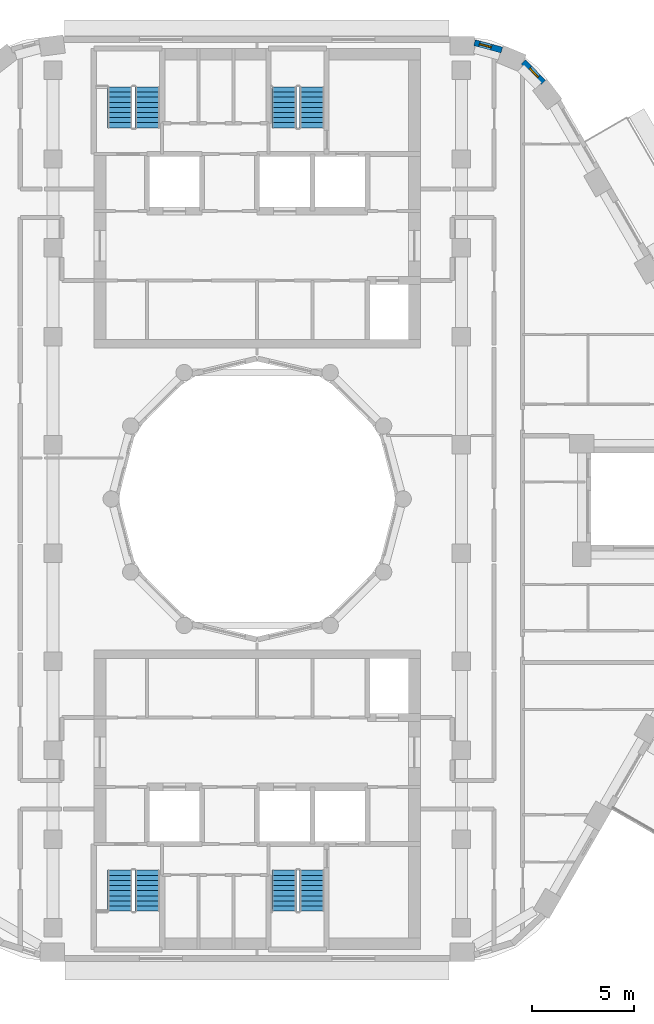
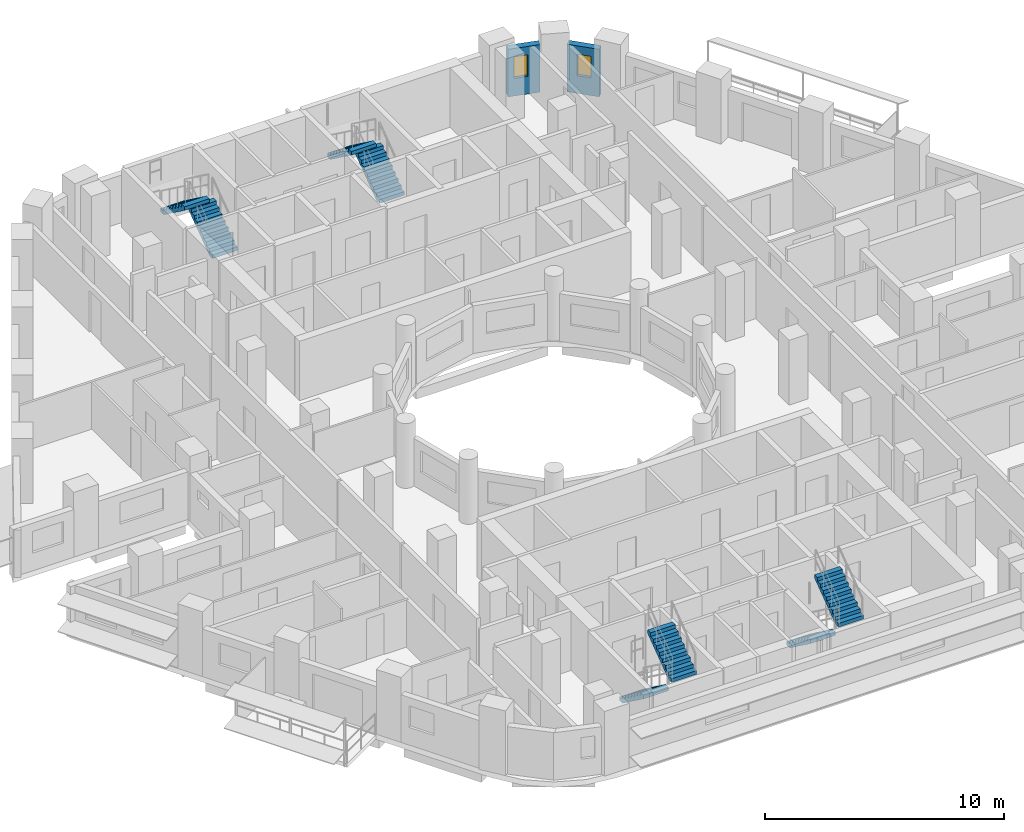
# One storey, part 10 of 18: 8 stair flights, 2 walls, 2 windows, 2 openings, 4 elements without a shape of their own.
"""IFC4 building model written with IfcOpenShell, lengths in metres."""

from ifc_helpers import new_model, si_unit, direction, frame, frame_2d, origin, place, context, subcontext, project, spatial, polyline, rectangle, outline, extrude, material, layer, layer_set, type_object, element, fill, aggregate, save


model = new_model("IFC4")

# Units and contexts
model_context = context("Model", 3, precision=1e-05, world=origin(), true_north=direction((0.0, 1.0)))
body_context = subcontext(model_context, "Body", "Model", "MODEL_VIEW")
ifc_project = project(units=[si_unit("LENGTHUNIT", "METRE"), si_unit("AREAUNIT", "SQUARE_METRE"), si_unit("VOLUMEUNIT", "CUBIC_METRE"), si_unit("PLANEANGLEUNIT", "RADIAN"), si_unit("MASSUNIT", "GRAM", prefix="KILO")], contexts=[model_context])

# Site, building, storey
site_placement = place(None, origin())
site = spatial("IfcSite", under=ifc_project, at=site_placement, CompositionType="ELEMENT")
building_placement = place(site_placement, origin())
building = spatial("IfcBuilding", under=site, at=building_placement, Name="Nakaniwa Court", CompositionType="ELEMENT")
storey_placement = place(building_placement, frame((0.0, 0.0, 180.0)))
storey = spatial("IfcBuildingStorey", under=building, at=storey_placement, Name="L46", CompositionType="ELEMENT", Elevation=180.0)

# Wall, opening, window
ifc_material_1 = material(Name="Charcoal ceramic cladding")
ifc_layer_1 = layer(ifc_material_1, 0.02, Name="Ceramic cladding")
ifc_material_2 = material(Name="Ventilated air cavity")
ifc_layer_2 = layer(ifc_material_2, 0.04, ventilated=True, Name="Ventilated cavity")
ifc_material_3 = material(Name="Mineral wool insulation")
ifc_layer_3 = layer(ifc_material_3, 0.1, Name="Insulation")
ifc_material_4 = material(Name="Cement bonded sheathing board")
ifc_layer_4 = layer(ifc_material_4, 0.012, Name="Sheathing")
ifc_material_5 = material(Name="Cold-formed galvanised stud frame with mineral wool infill")
ifc_layer_5 = layer(ifc_material_5, 0.1, Name="Stud frame")
ifc_material_6 = material(Name="Fire-rated gypsum plasterboard lining")
ifc_layer_6 = layer(ifc_material_6, 0.028, Name="Lining")
ifc_layer_set = layer_set([ifc_layer_1, ifc_layer_2, ifc_layer_3, ifc_layer_4, ifc_layer_5, ifc_layer_6], Name="Charcoal ceramic faced external wall system")
wall_type = type_object("IfcWallType", Name="Black ceramic faced external wall 300", PredefinedType="SOLIDWALL", material=ifc_layer_set)
wall_1_placement = place(storey_placement, frame((94.009033203125, 100.40185546875, 0.0), z_axis=(0.0, 0.0, 1.0), x_axis=(-0.69817596362, 0.715926199984, 0.0)))
wall_1 = element("IfcWall", 1, at=wall_1_placement, inside=storey, type_object=wall_type, Name="L46 external wall 06", PredefinedType="SOLIDWALL", context=body_context, shape_type="SweptSolid", body=[
    extrude(rectangle(XDim=1.40283203125, YDim=0.300048828125, at=frame_2d((0.701416015625, 0.0))), origin(), (0.0, 0.0, 1.0), 2.425048828125),
])
opening_1_placement = place(wall_1_placement, frame((0.35986328125, 0.0, 0.89990234375)))
opening_1 = element("IfcOpeningElement", 2, at=opening_1_placement, cuts=wall_1, Name="Opening W8.05", PredefinedType="OPENING", context=body_context, shape_type="SweptSolid", body=[
    extrude(rectangle(XDim=0.60009765625, YDim=1.10009765625, at=frame_2d((0.300048828125, 0.550048828125))), frame((0.0, 0.159912109375, 0.0), z_axis=(0.0, -1.0, 0.0), x_axis=(1.0, 0.0, 0.0)), (0.0, 0.0, 1.0), 0.320068359375),
])
ifc_material_7 = material(Name="Black anodised aluminium frame with dark low-E laminated double glazing", Category="aluminium")
window_type = type_object("IfcWindowType", Name="Dark glass window 600x1100 sill 900", PartitioningType="SINGLE_PANEL", PredefinedType="WINDOW", material=ifc_material_7)
window_1_placement = place(opening_1_placement, origin())
window_1 = element("IfcWindow", 3, at=window_1_placement, inside=storey, type_object=window_type, Name="L46 habitable room window 06-0", OverallHeight=1.10009765625, OverallWidth=0.60009765625, PartitioningType="SINGLE_PANEL", PredefinedType="WINDOW", context=body_context, shape_type="SweptSolid", body=[
    extrude(rectangle(XDim=0.60009765625, YDim=1.10009765625, at=frame_2d((0.300048828125, 0.550048828125))), frame((0.0, 0.030029296875, 0.0), z_axis=(0.0, -1.0, 0.0), x_axis=(1.0, 0.0, 0.0)), (0.0, 0.0, 1.0), 0.06005859375),
])
fill(opening_1, window_1)

wall_2_placement = place(storey_placement, frame((91.977294921875, 101.981201171875, 0.0), z_axis=(0.0, 0.0, 1.0), x_axis=(-0.965315341278, 0.261086751661, 0.0)))
wall_2 = element("IfcWall", 4, at=wall_2_placement, inside=storey, type_object=wall_type, Name="L46 external wall 07", PredefinedType="SOLIDWALL", context=body_context, shape_type="SweptSolid", body=[
    extrude(rectangle(XDim=1.384033203125, YDim=0.300048828125, at=frame_2d((0.69189453125, 0.0))), origin(), (0.0, 0.0, 1.0), 2.425048828125),
])
opening_2_placement = place(wall_2_placement, frame((0.529296875, 0.0, 0.89990234375)))
opening_2 = element("IfcOpeningElement", 5, at=opening_2_placement, cuts=wall_2, Name="Opening W8.06", PredefinedType="OPENING", context=body_context, shape_type="SweptSolid", body=[
    extrude(rectangle(XDim=0.60009765625, YDim=1.10009765625, at=frame_2d((0.300048828125, 0.550048828125))), frame((0.0, 0.159912109375, 0.0), z_axis=(0.0, -1.0, 0.0), x_axis=(1.0, 0.0, 0.0)), (0.0, 0.0, 1.0), 0.320068359375),
])
window_2_placement = place(opening_2_placement, origin())
window_2 = element("IfcWindow", 6, at=window_2_placement, inside=storey, type_object=window_type, Name="L46 habitable room window 07-1", OverallHeight=1.10009765625, OverallWidth=0.60009765625, PartitioningType="SINGLE_PANEL", PredefinedType="WINDOW", context=body_context, shape_type="SweptSolid", body=[
    extrude(rectangle(XDim=0.60009765625, YDim=1.10009765625, at=frame_2d((0.300048828125, 0.550048828125))), frame((0.0, 0.030029296875, 0.0), z_axis=(0.0, -1.0, 0.0), x_axis=(1.0, 0.0, 0.0)), (0.0, 0.0, 1.0), 0.06005859375),
])
fill(opening_2, window_2)

# Stair, stair flights
ifc_material_8 = material(Name="Concrete C80/100", Category="concrete")
stair_type = type_object("IfcStairType", Name="Dog leg stair 1200 wide 18 risers", PredefinedType="HALF_TURN_STAIR", material=ifc_material_8)
stair_1_placement = place(storey_placement, origin())
stair_1 = element("IfcStair", 7, at=stair_1_placement, inside=storey, type_object=stair_type, Name="L46 Stair ST1", PredefinedType="HALF_TURN_STAIR")
stair_flight_type = type_object("IfcStairFlightType", Name="Stair flight 1200 wide 9 risers", PredefinedType="STRAIGHT", material=ifc_material_8)
stair_flight_1_placement = place(storey_placement, frame((74.625, 98.175048828125, 0.0), z_axis=(0.0, 0.0, 1.0), x_axis=(0.0, 1.0, 0.0)))
stair_flight_1 = element("IfcStairFlight", 8, at=stair_flight_1_placement, type_object=stair_flight_type, Name="ST1 flight 1", NumberOfRisers=9, NumberOfTreads=8, PredefinedType="STRAIGHT", RiserHeight=0.183333333, TreadLength=0.25, context=body_context, shape_type="SweptSolid", body=[
    extrude(outline(polyline([(0.0, 0.0), (0.0, 0.026123046875), (0.0, 0.052490234375), (0.0, 0.07861328125), (0.0, 0.104736328125), (0.0, 0.130859375), (0.0, 0.1572265625), (0.0, 0.183349609375), (0.25, 0.183349609375), (0.25, 0.36669921875), (0.5, 0.36669921875), (0.5, 0.550048828125), (0.75, 0.550048828125), (0.75, 0.7333984375), (1.0, 0.7333984375), (1.0, 0.916748046875), (1.25, 0.916748046875), (1.25, 1.10009765625), (1.5, 1.10009765625), (1.5, 1.283447265625), (1.75, 1.283447265625), (1.75, 1.466552734375), (2.0, 1.466552734375), (2.0, 1.64990234375), (2.0, 1.59716796875), (2.0, 1.54443359375), (2.0, 1.49169921875), (2.0, 1.43896484375), (2.0, 1.38623046875), (2.0, 1.33349609375), (2.0, 1.28076171875), (0.25341796875, 0.0), (0.0, 0.0)])), frame((0.0, 0.60009765625, 0.0), z_axis=(0.0, -1.0, 0.0), x_axis=(1.0, 0.0, 0.0)), (0.0, 0.0, 1.0), 1.199951171875),
])
stair_flight_2_placement = place(storey_placement, frame((73.27490234375, 100.175048828125, 1.64990234375), z_axis=(0.0, 0.0, 1.0), x_axis=(0.0, -1.0, 0.0)))
stair_flight_2 = element("IfcStairFlight", 9, at=stair_flight_2_placement, type_object=stair_flight_type, Name="ST1 flight 2", NumberOfRisers=9, NumberOfTreads=8, PredefinedType="STRAIGHT", RiserHeight=0.183333333, TreadLength=0.25, context=body_context, shape_type="SweptSolid", body=[
    extrude(outline(polyline([(0.0, 0.0), (0.0, 0.026123046875), (0.0, 0.052490234375), (0.0, 0.07861328125), (0.0, 0.104736328125), (0.0, 0.130859375), (0.0, 0.1572265625), (0.0, 0.183349609375), (0.25, 0.183349609375), (0.25, 0.36669921875), (0.5, 0.36669921875), (0.5, 0.550048828125), (0.75, 0.550048828125), (0.75, 0.7333984375), (1.0, 0.7333984375), (1.0, 0.916748046875), (1.25, 0.916748046875), (1.25, 1.10009765625), (1.5, 1.10009765625), (1.5, 1.283447265625), (1.75, 1.283447265625), (1.75, 1.466552734375), (2.0, 1.466552734375), (2.0, 1.64990234375), (2.0, 1.59716796875), (2.0, 1.54443359375), (2.0, 1.49169921875), (2.0, 1.43896484375), (2.0, 1.38623046875), (2.0, 1.33349609375), (2.0, 1.28076171875), (0.25341796875, 0.0), (0.0, 0.0)])), frame((0.0, 0.60009765625, 0.0), z_axis=(0.0, -1.0, 0.0), x_axis=(1.0, 0.0, 0.0)), (0.0, 0.0, 1.0), 1.199951171875),
])
aggregate(stair_1, [stair_flight_1, stair_flight_2])

stair_2_placement = place(storey_placement, origin())
stair_2 = element("IfcStair", 10, at=stair_2_placement, inside=storey, type_object=stair_type, Name="L46 Stair ST2", PredefinedType="HALF_TURN_STAIR")
stair_flight_3_placement = place(storey_placement, frame((82.675048828125, 98.175048828125, 0.0), z_axis=(0.0, 0.0, 1.0), x_axis=(0.0, 1.0, 0.0)))
stair_flight_3 = element("IfcStairFlight", 11, at=stair_flight_3_placement, type_object=stair_flight_type, Name="ST2 flight 1", NumberOfRisers=9, NumberOfTreads=8, PredefinedType="STRAIGHT", RiserHeight=0.183333333, TreadLength=0.25, context=body_context, shape_type="SweptSolid", body=[
    extrude(outline(polyline([(0.0, 0.0), (0.0, 0.026123046875), (0.0, 0.052490234375), (0.0, 0.07861328125), (0.0, 0.104736328125), (0.0, 0.130859375), (0.0, 0.1572265625), (0.0, 0.183349609375), (0.25, 0.183349609375), (0.25, 0.36669921875), (0.5, 0.36669921875), (0.5, 0.550048828125), (0.75, 0.550048828125), (0.75, 0.7333984375), (1.0, 0.7333984375), (1.0, 0.916748046875), (1.25, 0.916748046875), (1.25, 1.10009765625), (1.5, 1.10009765625), (1.5, 1.283447265625), (1.75, 1.283447265625), (1.75, 1.466552734375), (2.0, 1.466552734375), (2.0, 1.64990234375), (2.0, 1.59716796875), (2.0, 1.54443359375), (2.0, 1.49169921875), (2.0, 1.43896484375), (2.0, 1.38623046875), (2.0, 1.33349609375), (2.0, 1.28076171875), (0.25341796875, 0.0), (0.0, 0.0)])), frame((0.0, 0.60009765625, 0.0), z_axis=(0.0, -1.0, 0.0), x_axis=(1.0, 0.0, 0.0)), (0.0, 0.0, 1.0), 1.199951171875),
])
stair_flight_4_placement = place(storey_placement, frame((81.324951171875, 100.175048828125, 1.64990234375), z_axis=(0.0, 0.0, 1.0), x_axis=(0.0, -1.0, 0.0)))
stair_flight_4 = element("IfcStairFlight", 12, at=stair_flight_4_placement, type_object=stair_flight_type, Name="ST2 flight 2", NumberOfRisers=9, NumberOfTreads=8, PredefinedType="STRAIGHT", RiserHeight=0.183333333, TreadLength=0.25, context=body_context, shape_type="SweptSolid", body=[
    extrude(outline(polyline([(0.0, 0.0), (0.0, 0.026123046875), (0.0, 0.052490234375), (0.0, 0.07861328125), (0.0, 0.104736328125), (0.0, 0.130859375), (0.0, 0.1572265625), (0.0, 0.183349609375), (0.25, 0.183349609375), (0.25, 0.36669921875), (0.5, 0.36669921875), (0.5, 0.550048828125), (0.75, 0.550048828125), (0.75, 0.7333984375), (1.0, 0.7333984375), (1.0, 0.916748046875), (1.25, 0.916748046875), (1.25, 1.10009765625), (1.5, 1.10009765625), (1.5, 1.283447265625), (1.75, 1.283447265625), (1.75, 1.466552734375), (2.0, 1.466552734375), (2.0, 1.64990234375), (2.0, 1.59716796875), (2.0, 1.54443359375), (2.0, 1.49169921875), (2.0, 1.43896484375), (2.0, 1.38623046875), (2.0, 1.33349609375), (2.0, 1.28076171875), (0.25341796875, 0.0), (0.0, 0.0)])), frame((0.0, 0.60009765625, 0.0), z_axis=(0.0, -1.0, 0.0), x_axis=(1.0, 0.0, 0.0)), (0.0, 0.0, 1.0), 1.199951171875),
])
aggregate(stair_2, [stair_flight_3, stair_flight_4])

stair_3_placement = place(storey_placement, origin())
stair_3 = element("IfcStair", 13, at=stair_3_placement, inside=storey, type_object=stair_type, Name="L46 Stair ST3", PredefinedType="HALF_TURN_STAIR")
stair_flight_5_placement = place(storey_placement, frame((73.27490234375, 61.824951171875, 0.0), z_axis=(0.0, 0.0, 1.0), x_axis=(0.0, -1.0, 0.0)))
stair_flight_5 = element("IfcStairFlight", 14, at=stair_flight_5_placement, type_object=stair_flight_type, Name="ST3 flight 1", NumberOfRisers=9, NumberOfTreads=8, PredefinedType="STRAIGHT", RiserHeight=0.183333333, TreadLength=0.25, context=body_context, shape_type="SweptSolid", body=[
    extrude(outline(polyline([(0.0, 0.0), (0.0, 0.026123046875), (0.0, 0.052490234375), (0.0, 0.07861328125), (0.0, 0.104736328125), (0.0, 0.130859375), (0.0, 0.1572265625), (0.0, 0.183349609375), (0.25, 0.183349609375), (0.25, 0.36669921875), (0.5, 0.36669921875), (0.5, 0.550048828125), (0.75, 0.550048828125), (0.75, 0.7333984375), (1.0, 0.7333984375), (1.0, 0.916748046875), (1.25, 0.916748046875), (1.25, 1.10009765625), (1.5, 1.10009765625), (1.5, 1.283447265625), (1.75, 1.283447265625), (1.75, 1.466552734375), (2.0, 1.466552734375), (2.0, 1.64990234375), (2.0, 1.59716796875), (2.0, 1.54443359375), (2.0, 1.49169921875), (2.0, 1.43896484375), (2.0, 1.38623046875), (2.0, 1.33349609375), (2.0, 1.28076171875), (0.25341796875, 0.0), (0.0, 0.0)])), frame((0.0, 0.60009765625, 0.0), z_axis=(0.0, -1.0, 0.0), x_axis=(1.0, 0.0, 0.0)), (0.0, 0.0, 1.0), 1.199951171875),
])
stair_flight_6_placement = place(storey_placement, frame((74.625, 59.824951171875, 1.64990234375), z_axis=(0.0, 0.0, 1.0), x_axis=(0.0, 1.0, 0.0)))
stair_flight_6 = element("IfcStairFlight", 15, at=stair_flight_6_placement, type_object=stair_flight_type, Name="ST3 flight 2", NumberOfRisers=9, NumberOfTreads=8, PredefinedType="STRAIGHT", RiserHeight=0.183333333, TreadLength=0.25, context=body_context, shape_type="SweptSolid", body=[
    extrude(outline(polyline([(0.0, 0.0), (0.0, 0.026123046875), (0.0, 0.052490234375), (0.0, 0.07861328125), (0.0, 0.104736328125), (0.0, 0.130859375), (0.0, 0.1572265625), (0.0, 0.183349609375), (0.25, 0.183349609375), (0.25, 0.36669921875), (0.5, 0.36669921875), (0.5, 0.550048828125), (0.75, 0.550048828125), (0.75, 0.7333984375), (1.0, 0.7333984375), (1.0, 0.916748046875), (1.25, 0.916748046875), (1.25, 1.10009765625), (1.5, 1.10009765625), (1.5, 1.283447265625), (1.75, 1.283447265625), (1.75, 1.466552734375), (2.0, 1.466552734375), (2.0, 1.64990234375), (2.0, 1.59716796875), (2.0, 1.54443359375), (2.0, 1.49169921875), (2.0, 1.43896484375), (2.0, 1.38623046875), (2.0, 1.33349609375), (2.0, 1.28076171875), (0.25341796875, 0.0), (0.0, 0.0)])), frame((0.0, 0.60009765625, 0.0), z_axis=(0.0, -1.0, 0.0), x_axis=(1.0, 0.0, 0.0)), (0.0, 0.0, 1.0), 1.199951171875),
])
aggregate(stair_3, [stair_flight_5, stair_flight_6])

stair_4_placement = place(storey_placement, origin())
stair_4 = element("IfcStair", 16, at=stair_4_placement, inside=storey, type_object=stair_type, Name="L46 Stair ST4", PredefinedType="HALF_TURN_STAIR")
stair_flight_7_placement = place(storey_placement, frame((81.324951171875, 61.824951171875, 0.0), z_axis=(0.0, 0.0, 1.0), x_axis=(0.0, -1.0, 0.0)))
stair_flight_7 = element("IfcStairFlight", 17, at=stair_flight_7_placement, type_object=stair_flight_type, Name="ST4 flight 1", NumberOfRisers=9, NumberOfTreads=8, PredefinedType="STRAIGHT", RiserHeight=0.183333333, TreadLength=0.25, context=body_context, shape_type="SweptSolid", body=[
    extrude(outline(polyline([(0.0, 0.0), (0.0, 0.026123046875), (0.0, 0.052490234375), (0.0, 0.07861328125), (0.0, 0.104736328125), (0.0, 0.130859375), (0.0, 0.1572265625), (0.0, 0.183349609375), (0.25, 0.183349609375), (0.25, 0.36669921875), (0.5, 0.36669921875), (0.5, 0.550048828125), (0.75, 0.550048828125), (0.75, 0.7333984375), (1.0, 0.7333984375), (1.0, 0.916748046875), (1.25, 0.916748046875), (1.25, 1.10009765625), (1.5, 1.10009765625), (1.5, 1.283447265625), (1.75, 1.283447265625), (1.75, 1.466552734375), (2.0, 1.466552734375), (2.0, 1.64990234375), (2.0, 1.59716796875), (2.0, 1.54443359375), (2.0, 1.49169921875), (2.0, 1.43896484375), (2.0, 1.38623046875), (2.0, 1.33349609375), (2.0, 1.28076171875), (0.25341796875, 0.0), (0.0, 0.0)])), frame((0.0, 0.60009765625, 0.0), z_axis=(0.0, -1.0, 0.0), x_axis=(1.0, 0.0, 0.0)), (0.0, 0.0, 1.0), 1.199951171875),
])
stair_flight_8_placement = place(storey_placement, frame((82.675048828125, 59.824951171875, 1.64990234375), z_axis=(0.0, 0.0, 1.0), x_axis=(0.0, 1.0, 0.0)))
stair_flight_8 = element("IfcStairFlight", 18, at=stair_flight_8_placement, type_object=stair_flight_type, Name="ST4 flight 2", NumberOfRisers=9, NumberOfTreads=8, PredefinedType="STRAIGHT", RiserHeight=0.183333333, TreadLength=0.25, context=body_context, shape_type="SweptSolid", body=[
    extrude(outline(polyline([(0.0, 0.0), (0.0, 0.026123046875), (0.0, 0.052490234375), (0.0, 0.07861328125), (0.0, 0.104736328125), (0.0, 0.130859375), (0.0, 0.1572265625), (0.0, 0.183349609375), (0.25, 0.183349609375), (0.25, 0.36669921875), (0.5, 0.36669921875), (0.5, 0.550048828125), (0.75, 0.550048828125), (0.75, 0.7333984375), (1.0, 0.7333984375), (1.0, 0.916748046875), (1.25, 0.916748046875), (1.25, 1.10009765625), (1.5, 1.10009765625), (1.5, 1.283447265625), (1.75, 1.283447265625), (1.75, 1.466552734375), (2.0, 1.466552734375), (2.0, 1.64990234375), (2.0, 1.59716796875), (2.0, 1.54443359375), (2.0, 1.49169921875), (2.0, 1.43896484375), (2.0, 1.38623046875), (2.0, 1.33349609375), (2.0, 1.28076171875), (0.25341796875, 0.0), (0.0, 0.0)])), frame((0.0, 0.60009765625, 0.0), z_axis=(0.0, -1.0, 0.0), x_axis=(1.0, 0.0, 0.0)), (0.0, 0.0, 1.0), 1.199951171875),
])
aggregate(stair_4, [stair_flight_7, stair_flight_8])

save(model, "model.ifc")
